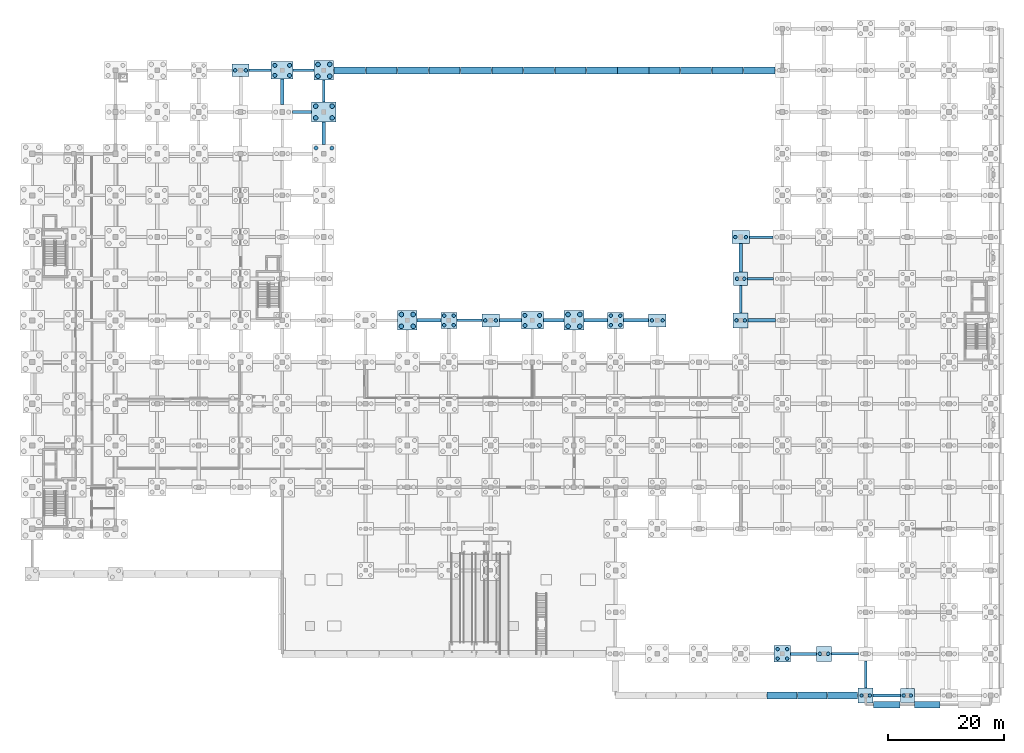
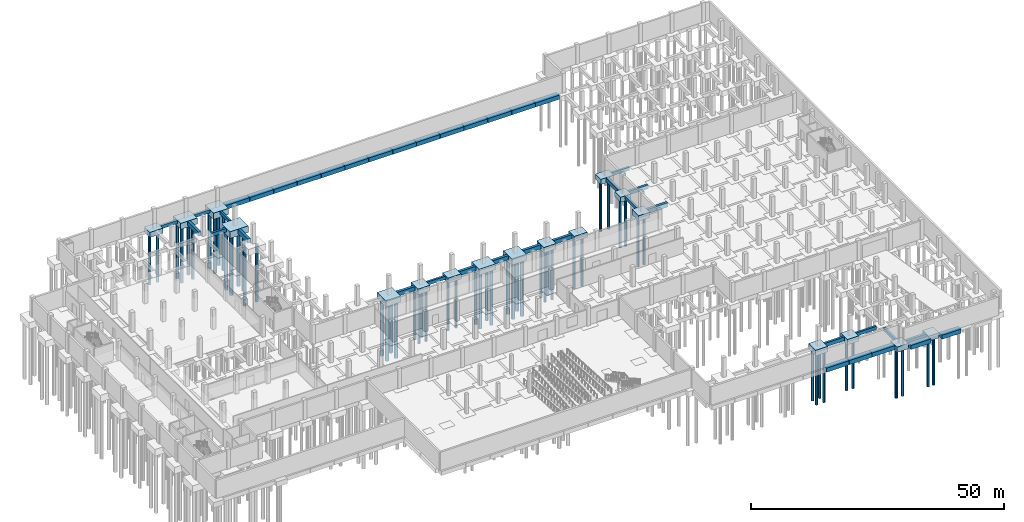
# One storey, part 10 of 38: 58 footings, 56 piles.
"""IFC4 building model written with IfcOpenShell, lengths in metres."""

from ifc_helpers import new_model, si_unit, direction, frame, origin, origin_2d, place, context, subcontext, project, spatial, rectangle, circle, extrude, material, material_profile, profile_set, type_object, element, save


model = new_model("IFC4")

# Units and contexts
model_context = context("Model", 3, precision=1e-05, world=origin(), true_north=direction((0.0, 1.0)))
body_context = subcontext(model_context, "Body", "Model", "MODEL_VIEW")
ifc_project = project(units=[si_unit("LENGTHUNIT", "METRE"), si_unit("AREAUNIT", "SQUARE_METRE"), si_unit("VOLUMEUNIT", "CUBIC_METRE"), si_unit("PLANEANGLEUNIT", "RADIAN"), si_unit("MASSUNIT", "GRAM", prefix="KILO")], contexts=[model_context])

# Site, building, storey
site_placement = place(None, origin())
site = spatial("IfcSite", under=ifc_project, at=site_placement, CompositionType="ELEMENT")
building_placement = place(site_placement, origin())
building = spatial("IfcBuilding", under=site, at=building_placement, Name="Valkovuoma Quantum and Materials Research Institute", CompositionType="ELEMENT")
storey_placement = place(building_placement, frame((0.0, 0.0, -4.800048828125)))
storey = spatial("IfcBuildingStorey", under=building, at=storey_placement, Name="B1", CompositionType="ELEMENT", Elevation=-4.800048828125)

# Footings
ifc_material_1 = material(Name="Concrete C35/45", Category="concrete")
footing_type_1 = type_object("IfcFootingType", Name="Cap-PC-03", PredefinedType="PILE_CAP", material=ifc_material_1)
for number, where, z_axis, x_axis, name in (
    (1, (122.39990234375, 72.0, -1.19970703125), (0.0, 0.0, 1.0), (1.0, 0.0, 0.0), "B1 pile cap 18L"),
    (2, (151.199951171875, 0.0, -1.19970703125), (0.0, 0.0, 1.0), (1.0, 0.0, 0.0), "B1 pile cap 22A"),
):
    element("IfcFooting", number, at=place(storey_placement, frame(where, z_axis=z_axis, x_axis=x_axis)), inside=storey, type_object=footing_type_1, Name=name, PredefinedType="PILE_CAP", context=body_context, shape_type="SweptSolid", body=[
        extrude(rectangle(XDim=2.39990234375, YDim=2.39990234375, at=origin_2d()), origin(), (0.0, 0.0, 1.0), 1.199951171875),
    ])
ifc_material_2 = material(Name="Concrete C35/45", Category="concrete")
footing_type_2 = type_object("IfcFootingType", Name="Cap-PC-04", PredefinedType="PILE_CAP", material=ifc_material_2)
for number, where, z_axis, x_axis, name in (
    (3, (122.39990234375, 64.800048828125, -1.2998046875), (0.0, 0.0, 1.0), (1.0, 0.0, 0.0), "B1 pile cap 18K"),
    (4, (136.800048828125, 7.199951171875, -1.2998046875), (0.0, 0.0, 1.0), (1.0, 0.0, 0.0), "B1 pile cap 20B"),
    (5, (144.0, 0.0, -1.2998046875), (0.0, 0.0, 1.0), (1.0, 0.0, 0.0), "B1 pile cap 21A"),
):
    element("IfcFooting", number, at=place(storey_placement, frame(where, z_axis=z_axis, x_axis=x_axis)), inside=storey, type_object=footing_type_2, Name=name, PredefinedType="PILE_CAP", context=body_context, shape_type="SweptSolid", body=[
        extrude(rectangle(XDim=2.60009765625, YDim=2.60009765625, at=origin_2d()), origin(), (0.0, 0.0, 1.0), 1.300048828125),
    ])
ifc_material_3 = material(Name="Concrete C35/45", Category="concrete")
footing_type_3 = type_object("IfcFootingType", Name="Cap-PC-05", PredefinedType="PILE_CAP", material=ifc_material_3)
for number, where, z_axis, x_axis, name in (
    (6, (72.0, 64.800048828125, -1.35009765625), (0.0, 0.0, 1.0), (1.0, 0.0, 0.0), "B1 pile cap 11K"),
    (7, (100.800048828125, 64.800048828125, -1.35009765625), (0.0, 0.0, 1.0), (1.0, 0.0, 0.0), "B1 pile cap 15K"),
    (8, (129.60009765625, 7.199951171875, -1.35009765625), (0.0, 0.0, 1.0), (1.0, 0.0, 0.0), "B1 pile cap 19B"),
):
    element("IfcFooting", number, at=place(storey_placement, frame(where, z_axis=z_axis, x_axis=x_axis)), inside=storey, type_object=footing_type_3, Name=name, PredefinedType="PILE_CAP", context=body_context, shape_type="SweptSolid", body=[
        extrude(rectangle(XDim=2.800048828125, YDim=2.800048828125, at=origin_2d()), origin(), (0.0, 0.0, 1.0), 1.35009765625),
    ])
ifc_material_4 = material(Name="Concrete C35/45", Category="concrete")
footing_type_4 = type_object("IfcFootingType", Name="Cap-PC-08", PredefinedType="PILE_CAP", material=ifc_material_4)
for number, where, z_axis, x_axis, name in (
    (9, (50.39990234375, 108.0, -1.5), (0.0, 0.0, 1.0), (1.0, 0.0, 0.0), "B1 pile cap 08R"),
    (10, (64.800048828125, 64.800048828125, -1.5), (0.0, 0.0, 1.0), (1.0, 0.0, 0.0), "B1 pile cap 10K"),
    (11, (93.60009765625, 64.800048828125, -1.5), (0.0, 0.0, 1.0), (1.0, 0.0, 0.0), "B1 pile cap 14K"),
):
    element("IfcFooting", number, at=place(storey_placement, frame(where, z_axis=z_axis, x_axis=x_axis)), inside=storey, type_object=footing_type_4, Name=name, PredefinedType="PILE_CAP", context=body_context, shape_type="SweptSolid", body=[
        extrude(rectangle(XDim=3.39990234375, YDim=3.39990234375, at=origin_2d()), origin(), (0.0, 0.0, 1.0), 1.5),
    ])
ifc_material_5 = material(Name="Concrete C35/45", Category="concrete")
footing_type_5 = type_object("IfcFootingType", Name="Cap-PC-11", PredefinedType="PILE_CAP", material=ifc_material_5)
for number, where, z_axis, x_axis, name in (
    (12, (36.0, 108.0, -1.25), (0.0, 0.0, 1.0), (1.0, 0.0, 0.0), "B1 pile cap 06R"),
    (13, (79.199951171875, 64.800048828125, -1.25), (0.0, 0.0, 1.0), (1.0, 0.0, 0.0), "B1 pile cap 12K"),
    (14, (108.0, 64.800048828125, -1.25), (0.0, 0.0, 1.0), (1.0, 0.0, 0.0), "B1 pile cap 16K"),
    (15, (122.39990234375, 79.199951171875, -1.25), (0.0, 0.0, 1.0), (1.0, 0.0, 0.0), "B1 pile cap 18M"),
):
    element("IfcFooting", number, at=place(storey_placement, frame(where, z_axis=z_axis, x_axis=x_axis)), inside=storey, type_object=footing_type_5, Name=name, PredefinedType="PILE_CAP", context=body_context, shape_type="SweptSolid", body=[
        extrude(rectangle(XDim=3.0, YDim=2.199951171875, at=origin_2d()), origin(), (0.0, 0.0, 1.0), 1.25),
    ])
ifc_material_6 = material(Name="Concrete C35/45", Category="concrete")
footing_type_6 = type_object("IfcFootingType", Name="Cap-PC-14", PredefinedType="PILE_CAP", material=ifc_material_6)
for number, where, z_axis, x_axis, name in (
    (16, (43.199951171875, 108.0, -1.44970703125), (0.0, 0.0, 1.0), (1.0, 0.0, 0.0), "B1 pile cap 07R"),
    (17, (86.39990234375, 64.800048828125, -1.44970703125), (0.0, 0.0, 1.0), (1.0, 0.0, 0.0), "B1 pile cap 13K"),
):
    element("IfcFooting", number, at=place(storey_placement, frame(where, z_axis=z_axis, x_axis=x_axis)), inside=storey, type_object=footing_type_6, Name=name, PredefinedType="PILE_CAP", context=body_context, shape_type="SweptSolid", body=[
        extrude(rectangle(XDim=3.800048828125, YDim=3.0, at=origin_2d()), origin(), (0.0, 0.0, 1.0), 1.449951171875),
    ])
ifc_material_7 = material(Name="Concrete C35/45", Category="concrete")
footing_type_7 = type_object("IfcFootingType", Name="Cap-PC-16", PredefinedType="PILE_CAP", material=ifc_material_7)
footing_1_placement = place(storey_placement, frame((50.39990234375, 100.800048828125, -1.60009765625), z_axis=(0.0, 0.0, 1.0), x_axis=(1.0, 0.0, 0.0)))
element("IfcFooting", 18, at=footing_1_placement, inside=storey, type_object=footing_type_7, Name="B1 pile cap 08Q", PredefinedType="PILE_CAP", context=body_context, shape_type="SweptSolid", body=[
    extrude(rectangle(XDim=4.199951171875, YDim=3.39990234375, at=origin_2d()), origin(), (0.0, 0.0, 1.0), 1.60009765625),
])
ifc_material_8 = material(Name="Concrete C35/45", Category="concrete")
footing_type_8 = type_object("IfcFootingType", Name="GndBeam-FB-01", PredefinedType="FOOTING_BEAM", material=ifc_material_8)
footing_2_placement = place(storey_placement, frame((39.39990234375, 108.0, -0.7998046875), z_axis=(0.0, 0.0, 1.0), x_axis=(1.0, 0.0, 0.0)))
element("IfcFooting", 19, at=footing_2_placement, inside=storey, type_object=footing_type_8, Name="B1 ground tie beam X-123", PredefinedType="FOOTING_BEAM", context=body_context, shape_type="SweptSolid", body=[
    extrude(rectangle(XDim=3.800048828125, YDim=0.449951171875, at=origin_2d()), origin(), (0.0, 0.0, 1.0), 0.800048828125),
])
footing_3_placement = place(storey_placement, frame((46.89990234375, 108.0, -0.7998046875), z_axis=(0.0, 0.0, 1.0), x_axis=(1.0, 0.0, 0.0)))
element("IfcFooting", 20, at=footing_3_placement, inside=storey, type_object=footing_type_8, Name="B1 ground tie beam X-144", PredefinedType="FOOTING_BEAM", context=body_context, shape_type="SweptSolid", body=[
    extrude(rectangle(XDim=3.60009765625, YDim=0.449951171875, at=origin_2d()), origin(), (0.0, 0.0, 1.0), 0.800048828125),
])
footing_4_placement = place(storey_placement, frame((50.39990234375, 104.39990234375, -0.7998046875), z_axis=(0.0, 0.0, 1.0), x_axis=(0.0, 1.0, 0.0)))
element("IfcFooting", 21, at=footing_4_placement, inside=storey, type_object=footing_type_8, Name="B1 ground tie beam Y-159", PredefinedType="FOOTING_BEAM", context=body_context, shape_type="SweptSolid", body=[
    extrude(rectangle(XDim=3.800048828125, YDim=0.449951171875, at=origin_2d()), origin(), (0.0, 0.0, 1.0), 0.800048828125),
])
footing_5_placement = place(storey_placement, frame((75.550048828125, 64.800048828125, -0.7998046875), z_axis=(0.0, 0.0, 1.0), x_axis=(1.0, 0.0, 0.0)))
element("IfcFooting", 22, at=footing_5_placement, inside=storey, type_object=footing_type_8, Name="B1 ground tie beam X-198", PredefinedType="FOOTING_BEAM", context=body_context, shape_type="SweptSolid", body=[
    extrude(rectangle(XDim=4.300048828125, YDim=0.449951171875, at=origin_2d()), origin(), (0.0, 0.0, 1.0), 0.800048828125),
])
footing_6_placement = place(storey_placement, frame((122.39990234375, 68.449951171875, -0.7998046875), z_axis=(0.0, 0.0, 1.0), x_axis=(0.0, 1.0, 0.0)))
element("IfcFooting", 23, at=footing_6_placement, inside=storey, type_object=footing_type_8, Name="B1 ground tie beam Y-276", PredefinedType="FOOTING_BEAM", context=body_context, shape_type="SweptSolid", body=[
    extrude(rectangle(XDim=4.699951171875, YDim=0.449951171875, at=origin_2d()), origin(), (0.0, 0.0, 1.0), 0.800048828125),
])
footing_7_placement = place(storey_placement, frame((125.949951171875, 79.199951171875, -0.7998046875), z_axis=(0.0, 0.0, 1.0), x_axis=(1.0, 0.0, 0.0)))
element("IfcFooting", 24, at=footing_7_placement, inside=storey, type_object=footing_type_8, Name="B1 ground tie beam X-279", PredefinedType="FOOTING_BEAM", context=body_context, shape_type="SweptSolid", body=[
    extrude(rectangle(XDim=4.10009765625, YDim=0.449951171875, at=origin_2d()), origin(), (0.0, 0.0, 1.0), 0.800048828125),
])
for number, where, z_axis, x_axis, name in (
    (25, (140.449951171875, 7.199951171875, -0.7998046875), (0.0, 0.0, 1.0), (1.0, 0.0, 0.0), "B1 ground tie beam X-306"),
    (26, (144.0, 3.64990234375, -0.7998046875), (0.0, 0.0, 1.0), (0.0, 1.0, 0.0), "B1 ground tie beam Y-333"),
):
    element("IfcFooting", number, at=place(storey_placement, frame(where, z_axis=z_axis, x_axis=x_axis)), inside=storey, type_object=footing_type_8, Name=name, PredefinedType="FOOTING_BEAM", context=body_context, shape_type="SweptSolid", body=[
        extrude(rectangle(XDim=4.699951171875, YDim=0.449951171875, at=origin_2d()), origin(), (0.0, 0.0, 1.0), 0.800048828125),
    ])
ifc_material_9 = material(Name="Concrete C35/45", Category="concrete")
footing_type_9 = type_object("IfcFootingType", Name="GndBeam-FB-02", PredefinedType="FOOTING_BEAM", material=ifc_material_9)
footing_8_placement = place(storey_placement, frame((46.625, 100.800048828125, -0.89990234375), z_axis=(0.0, 0.0, 1.0), x_axis=(1.0, 0.0, 0.0)))
element("IfcFooting", 27, at=footing_8_placement, inside=storey, type_object=footing_type_9, Name="B1 ground tie beam X-142", PredefinedType="FOOTING_BEAM", context=body_context, shape_type="SweptSolid", body=[
    extrude(rectangle(XDim=3.35009765625, YDim=0.5, at=origin_2d()), origin(), (0.0, 0.0, 1.0), 0.89990234375),
])
for number, where, z_axis, x_axis, name in (
    (28, (125.85009765625, 72.0, -0.89990234375), (0.0, 0.0, 1.0), (1.0, 0.0, 0.0), "B1 ground tie beam X-277"),
    (29, (133.25, 7.199951171875, -0.89990234375), (0.0, 0.0, 1.0), (1.0, 0.0, 0.0), "B1 ground tie beam X-280"),
):
    element("IfcFooting", number, at=place(storey_placement, frame(where, z_axis=z_axis, x_axis=x_axis)), inside=storey, type_object=footing_type_9, Name=name, PredefinedType="FOOTING_BEAM", context=body_context, shape_type="SweptSolid", body=[
        extrude(rectangle(XDim=4.5, YDim=0.5, at=origin_2d()), origin(), (0.0, 0.0, 1.0), 0.89990234375),
    ])
ifc_material_10 = material(Name="Concrete C35/45", Category="concrete")
footing_type_10 = type_object("IfcFootingType", Name="GndBeam-FB-03", PredefinedType="FOOTING_BEAM", material=ifc_material_10)
footing_9_placement = place(storey_placement, frame((43.199951171875, 104.300048828125, -1.0), z_axis=(0.0, 0.0, 1.0), x_axis=(0.0, 1.0, 0.0)))
element("IfcFooting", 30, at=footing_9_placement, inside=storey, type_object=footing_type_10, Name="B1 ground tie beam Y-143", PredefinedType="FOOTING_BEAM", context=body_context, shape_type="SweptSolid", body=[
    extrude(rectangle(XDim=4.39990234375, YDim=0.60009765625, at=origin_2d()), origin(), (0.0, 0.0, 1.0), 1.0),
])
footing_10_placement = place(storey_placement, frame((50.39990234375, 97.14990234375, -1.0), z_axis=(0.0, 0.0, 1.0), x_axis=(0.0, 1.0, 0.0)))
element("IfcFooting", 31, at=footing_10_placement, inside=storey, type_object=footing_type_10, Name="B1 ground tie beam Y-158", PredefinedType="FOOTING_BEAM", context=body_context, shape_type="SweptSolid", body=[
    extrude(rectangle(XDim=3.89990234375, YDim=0.60009765625, at=origin_2d()), origin(), (0.0, 0.0, 1.0), 1.0),
])
footing_11_placement = place(storey_placement, frame((68.550048828125, 64.800048828125, -1.0), z_axis=(0.0, 0.0, 1.0), x_axis=(1.0, 0.0, 0.0)))
element("IfcFooting", 32, at=footing_11_placement, inside=storey, type_object=footing_type_10, Name="B1 ground tie beam X-185", PredefinedType="FOOTING_BEAM", context=body_context, shape_type="SweptSolid", body=[
    extrude(rectangle(XDim=4.10009765625, YDim=0.60009765625, at=origin_2d()), origin(), (0.0, 0.0, 1.0), 1.0),
])
footing_12_placement = place(storey_placement, frame((82.60009765625, 64.800048828125, -1.0), z_axis=(0.0, 0.0, 1.0), x_axis=(1.0, 0.0, 0.0)))
element("IfcFooting", 33, at=footing_12_placement, inside=storey, type_object=footing_type_10, Name="B1 ground tie beam X-209", PredefinedType="FOOTING_BEAM", context=body_context, shape_type="SweptSolid", body=[
    extrude(rectangle(XDim=3.800048828125, YDim=0.60009765625, at=origin_2d()), origin(), (0.0, 0.0, 1.0), 1.0),
])
footing_13_placement = place(storey_placement, frame((90.10009765625, 64.800048828125, -1.0), z_axis=(0.0, 0.0, 1.0), x_axis=(1.0, 0.0, 0.0)))
element("IfcFooting", 34, at=footing_13_placement, inside=storey, type_object=footing_type_10, Name="B1 ground tie beam X-218", PredefinedType="FOOTING_BEAM", context=body_context, shape_type="SweptSolid", body=[
    extrude(rectangle(XDim=3.60009765625, YDim=0.60009765625, at=origin_2d()), origin(), (0.0, 0.0, 1.0), 1.0),
])
footing_14_placement = place(storey_placement, frame((97.35009765625, 64.800048828125, -1.0), z_axis=(0.0, 0.0, 1.0), x_axis=(1.0, 0.0, 0.0)))
element("IfcFooting", 35, at=footing_14_placement, inside=storey, type_object=footing_type_10, Name="B1 ground tie beam X-227", PredefinedType="FOOTING_BEAM", context=body_context, shape_type="SweptSolid", body=[
    extrude(rectangle(XDim=4.10009765625, YDim=0.60009765625, at=origin_2d()), origin(), (0.0, 0.0, 1.0), 1.0),
])
footing_15_placement = place(storey_placement, frame((104.35009765625, 64.800048828125, -1.0), z_axis=(0.0, 0.0, 1.0), x_axis=(1.0, 0.0, 0.0)))
element("IfcFooting", 36, at=footing_15_placement, inside=storey, type_object=footing_type_10, Name="B1 ground tie beam X-242", PredefinedType="FOOTING_BEAM", context=body_context, shape_type="SweptSolid", body=[
    extrude(rectangle(XDim=4.300048828125, YDim=0.60009765625, at=origin_2d()), origin(), (0.0, 0.0, 1.0), 1.0),
])
footing_16_placement = place(storey_placement, frame((126.050048828125, 64.800048828125, -1.0), z_axis=(0.0, 0.0, 1.0), x_axis=(1.0, 0.0, 0.0)))
element("IfcFooting", 37, at=footing_16_placement, inside=storey, type_object=footing_type_10, Name="B1 ground tie beam X-275", PredefinedType="FOOTING_BEAM", context=body_context, shape_type="SweptSolid", body=[
    extrude(rectangle(XDim=4.699951171875, YDim=0.60009765625, at=origin_2d()), origin(), (0.0, 0.0, 1.0), 1.0),
])
footing_17_placement = place(storey_placement, frame((122.39990234375, 75.64990234375, -1.0), z_axis=(0.0, 0.0, 1.0), x_axis=(0.0, 1.0, 0.0)))
element("IfcFooting", 38, at=footing_17_placement, inside=storey, type_object=footing_type_10, Name="B1 ground tie beam Y-278", PredefinedType="FOOTING_BEAM", context=body_context, shape_type="SweptSolid", body=[
    extrude(rectangle(XDim=4.89990234375, YDim=0.60009765625, at=origin_2d()), origin(), (0.0, 0.0, 1.0), 1.0),
])
footing_18_placement = place(storey_placement, frame((147.64990234375, 0.0, -1.0), z_axis=(0.0, 0.0, 1.0), x_axis=(1.0, 0.0, 0.0)))
element("IfcFooting", 39, at=footing_18_placement, inside=storey, type_object=footing_type_10, Name="B1 ground tie beam X-332", PredefinedType="FOOTING_BEAM", context=body_context, shape_type="SweptSolid", body=[
    extrude(rectangle(XDim=4.699951171875, YDim=0.60009765625, at=origin_2d()), origin(), (0.0, 0.0, 1.0), 1.0),
])
ifc_material_11 = material(Name="Concrete C35/45", Category="concrete")
footing_type_11 = type_object("IfcFootingType", Name="Pad-PF-04", PredefinedType="PAD_FOOTING", material=ifc_material_11)
footing_19_placement = place(storey_placement, frame((54.87939453125, 108.0, -1.0), z_axis=(0.0, 0.0, 1.0), x_axis=(1.0, 0.0, 0.0)))
element("IfcFooting", 40, at=footing_19_placement, inside=storey, type_object=footing_type_11, Name="B1 retaining wall pad footing 001", PredefinedType="PAD_FOOTING", context=body_context, shape_type="SweptSolid", body=[
    extrude(rectangle(XDim=5.398681640625, YDim=1.199951171875, at=origin_2d()), origin(), (0.0, 0.0, 1.0), 1.0),
])
for number, where, z_axis, x_axis, name in (
    (41, (60.337890625, 108.0, -1.0), (0.0, 0.0, 1.0), (1.0, 0.0, 0.0), "B1 retaining wall pad footing 002"),
    (42, (65.7763671875, 108.0, -1.0), (0.0, 0.0, 1.0), (1.0, 0.0, 0.0), "B1 retaining wall pad footing 003"),
    (43, (71.215087890625, 108.0, -1.0), (0.0, 0.0, 1.0), (1.0, 0.0, 0.0), "B1 retaining wall pad footing 004"),
    (44, (76.653564453125, 108.0, -1.0), (0.0, 0.0, 1.0), (1.0, 0.0, 0.0), "B1 retaining wall pad footing 005"),
    (45, (82.092041015625, 108.0, -1.0), (0.0, 0.0, 1.0), (1.0, 0.0, 0.0), "B1 retaining wall pad footing 006"),
    (46, (87.53076171875, 108.0, -1.0), (0.0, 0.0, 1.0), (1.0, 0.0, 0.0), "B1 retaining wall pad footing 007"),
    (47, (92.96923828125, 108.0, -1.0), (0.0, 0.0, 1.0), (1.0, 0.0, 0.0), "B1 retaining wall pad footing 008"),
    (48, (98.407958984375, 108.0, -1.0), (0.0, 0.0, 1.0), (1.0, 0.0, 0.0), "B1 retaining wall pad footing 009"),
    (49, (103.846435546875, 108.0, -1.0), (0.0, 0.0, 1.0), (1.0, 0.0, 0.0), "B1 retaining wall pad footing 010"),
    (50, (109.284912109375, 108.0, -1.0), (0.0, 0.0, 1.0), (1.0, 0.0, 0.0), "B1 retaining wall pad footing 011"),
    (51, (114.7236328125, 108.0, -1.0), (0.0, 0.0, 1.0), (1.0, 0.0, 0.0), "B1 retaining wall pad footing 012"),
    (52, (120.162109375, 108.0, -1.0), (0.0, 0.0, 1.0), (1.0, 0.0, 0.0), "B1 retaining wall pad footing 013"),
):
    element("IfcFooting", number, at=place(storey_placement, frame(where, z_axis=z_axis, x_axis=x_axis)), inside=storey, type_object=footing_type_11, Name=name, PredefinedType="PAD_FOOTING", context=body_context, shape_type="SweptSolid", body=[
        extrude(rectangle(XDim=5.358642578125, YDim=1.199951171875, at=origin_2d()), origin(), (0.0, 0.0, 1.0), 1.0),
    ])
footing_20_placement = place(storey_placement, frame((125.62060546875, 108.0, -1.0), z_axis=(0.0, 0.0, 1.0), x_axis=(1.0, 0.0, 0.0)))
element("IfcFooting", 53, at=footing_20_placement, inside=storey, type_object=footing_type_11, Name="B1 retaining wall pad footing 014", PredefinedType="PAD_FOOTING", context=body_context, shape_type="SweptSolid", body=[
    extrude(rectangle(XDim=5.398681640625, YDim=1.199951171875, at=origin_2d()), origin(), (0.0, 0.0, 1.0), 1.0),
])
footing_21_placement = place(storey_placement, frame((147.64990234375, -1.60009765625, -1.0), z_axis=(0.0, 0.0, 1.0), x_axis=(1.0, 0.0, 0.0)))
element("IfcFooting", 54, at=footing_21_placement, inside=storey, type_object=footing_type_11, Name="B1 retaining wall pad footing 034", PredefinedType="PAD_FOOTING", context=body_context, shape_type="SweptSolid", body=[
    extrude(rectangle(XDim=4.5400390625, YDim=1.199951171875, at=origin_2d()), origin(), (0.0, 0.0, 1.0), 1.0),
])
footing_22_placement = place(storey_placement, frame((154.64990234375, -1.60009765625, -1.0), z_axis=(0.0, 0.0, 1.0), x_axis=(1.0, 0.0, 0.0)))
element("IfcFooting", 55, at=footing_22_placement, inside=storey, type_object=footing_type_11, Name="B1 retaining wall pad footing 035", PredefinedType="PAD_FOOTING", context=body_context, shape_type="SweptSolid", body=[
    extrude(rectangle(XDim=4.340087890625, YDim=1.199951171875, at=origin_2d()), origin(), (0.0, 0.0, 1.0), 1.0),
])
for number, where, z_axis, x_axis, name in (
    (56, (129.55126953125, 0.0, -1.0), (0.0, 0.0, 1.0), (1.0, 0.0, 0.0), "B1 retaining wall pad footing 042"),
    (57, (134.77880859375, 0.0, -1.0), (0.0, 0.0, 1.0), (1.0, 0.0, 0.0), "B1 retaining wall pad footing 043"),
):
    element("IfcFooting", number, at=place(storey_placement, frame(where, z_axis=z_axis, x_axis=x_axis)), inside=storey, type_object=footing_type_11, Name=name, PredefinedType="PAD_FOOTING", context=body_context, shape_type="SweptSolid", body=[
        extrude(rectangle(XDim=5.1474609375, YDim=1.199951171875, at=origin_2d()), origin(), (0.0, 0.0, 1.0), 1.0),
    ])
footing_23_placement = place(storey_placement, frame((140.026123046875, 0.0, -1.0), z_axis=(0.0, 0.0, 1.0), x_axis=(1.0, 0.0, 0.0)))
element("IfcFooting", 58, at=footing_23_placement, inside=storey, type_object=footing_type_11, Name="B1 retaining wall pad footing 044", PredefinedType="PAD_FOOTING", context=body_context, shape_type="SweptSolid", body=[
    extrude(rectangle(XDim=5.1875, YDim=1.199951171875, at=origin_2d()), origin(), (0.0, 0.0, 1.0), 1.0),
])

# Piles
ifc_material_12 = material(Name="Concrete C40/50", Category="concrete")
ifc_material_profile_1 = material_profile(ifc_material_12, circle(Radius=0.300048828125, at=origin_2d()), Name="Concrete C40/50")
ifc_profile_set_1 = profile_set([ifc_material_profile_1], Name="Concrete C40/50")
pile_type_1 = type_object("IfcPileType", Name="Pile-PL-B600", PredefinedType="BORED", material=ifc_profile_set_1)
for number, where, z_axis, x_axis, name in (
    (59, (35.080078125, 108.0, -1.14990234375), (0.0, 0.0, -1.0), (1.0, 0.0, 0.0), "B1 pile 06R-1"),
    (60, (36.919921875, 108.0, -1.14990234375), (0.0, 0.0, -1.0), (1.0, 0.0, 0.0), "B1 pile 06R-2"),
):
    element("IfcPile", number, at=place(storey_placement, frame(where, z_axis=z_axis, x_axis=x_axis)), inside=storey, type_object=pile_type_1, Name=name, PredefinedType="BORED", context=body_context, shape_type="SweptSolid", body=[
        extrude(circle(Radius=0.300048828125, at=origin_2d()), origin(), (0.0, 0.0, 1.0), 12.25),
    ])
for number, where, z_axis, x_axis, name in (
    (61, (71.179931640625, 63.97998046875, -1.25), (0.0, 0.0, -1.0), (1.0, 0.0, 0.0), "B1 pile 11K-1"),
    (62, (72.820068359375, 63.97998046875, -1.25), (0.0, 0.0, -1.0), (1.0, 0.0, 0.0), "B1 pile 11K-2"),
    (63, (71.179931640625, 65.6201171875, -1.25), (0.0, 0.0, -1.0), (1.0, 0.0, 0.0), "B1 pile 11K-3"),
    (64, (72.820068359375, 65.6201171875, -1.25), (0.0, 0.0, -1.0), (1.0, 0.0, 0.0), "B1 pile 11K-4"),
):
    element("IfcPile", number, at=place(storey_placement, frame(where, z_axis=z_axis, x_axis=x_axis)), inside=storey, type_object=pile_type_1, Name=name, PredefinedType="BORED", context=body_context, shape_type="SweptSolid", body=[
        extrude(circle(Radius=0.300048828125, at=origin_2d()), origin(), (0.0, 0.0, 1.0), 12.35009765625),
    ])
for number, where, z_axis, x_axis, name in (
    (65, (78.280029296875, 64.800048828125, -1.14990234375), (0.0, 0.0, -1.0), (1.0, 0.0, 0.0), "B1 pile 12K-1"),
    (66, (80.1201171875, 64.800048828125, -1.14990234375), (0.0, 0.0, -1.0), (1.0, 0.0, 0.0), "B1 pile 12K-2"),
):
    element("IfcPile", number, at=place(storey_placement, frame(where, z_axis=z_axis, x_axis=x_axis)), inside=storey, type_object=pile_type_1, Name=name, PredefinedType="BORED", context=body_context, shape_type="SweptSolid", body=[
        extrude(circle(Radius=0.300048828125, at=origin_2d()), origin(), (0.0, 0.0, 1.0), 12.25),
    ])
for number, where, z_axis, x_axis, name in (
    (67, (99.97998046875, 63.97998046875, -1.25), (0.0, 0.0, -1.0), (1.0, 0.0, 0.0), "B1 pile 15K-1"),
    (68, (101.6201171875, 63.97998046875, -1.25), (0.0, 0.0, -1.0), (1.0, 0.0, 0.0), "B1 pile 15K-2"),
    (69, (99.97998046875, 65.6201171875, -1.25), (0.0, 0.0, -1.0), (1.0, 0.0, 0.0), "B1 pile 15K-3"),
    (70, (101.6201171875, 65.6201171875, -1.25), (0.0, 0.0, -1.0), (1.0, 0.0, 0.0), "B1 pile 15K-4"),
):
    element("IfcPile", number, at=place(storey_placement, frame(where, z_axis=z_axis, x_axis=x_axis)), inside=storey, type_object=pile_type_1, Name=name, PredefinedType="BORED", context=body_context, shape_type="SweptSolid", body=[
        extrude(circle(Radius=0.300048828125, at=origin_2d()), origin(), (0.0, 0.0, 1.0), 12.35009765625),
    ])
for number, where, z_axis, x_axis, name in (
    (71, (107.080078125, 64.800048828125, -1.14990234375), (0.0, 0.0, -1.0), (1.0, 0.0, 0.0), "B1 pile 16K-1"),
    (72, (108.919921875, 64.800048828125, -1.14990234375), (0.0, 0.0, -1.0), (1.0, 0.0, 0.0), "B1 pile 16K-2"),
):
    element("IfcPile", number, at=place(storey_placement, frame(where, z_axis=z_axis, x_axis=x_axis)), inside=storey, type_object=pile_type_1, Name=name, PredefinedType="BORED", context=body_context, shape_type="SweptSolid", body=[
        extrude(circle(Radius=0.300048828125, at=origin_2d()), origin(), (0.0, 0.0, 1.0), 12.25),
    ])
for number, where, z_axis, x_axis, name in (
    (73, (121.679931640625, 64.800048828125, -1.199951171875), (0.0, 0.0, -1.0), (1.0, 0.0, 0.0), "B1 pile 18K-1"),
    (74, (123.1201171875, 64.800048828125, -1.199951171875), (0.0, 0.0, -1.0), (1.0, 0.0, 0.0), "B1 pile 18K-2"),
):
    element("IfcPile", number, at=place(storey_placement, frame(where, z_axis=z_axis, x_axis=x_axis)), inside=storey, type_object=pile_type_1, Name=name, PredefinedType="BORED", context=body_context, shape_type="SweptSolid", body=[
        extrude(circle(Radius=0.300048828125, at=origin_2d()), origin(), (0.0, 0.0, 1.0), 12.0),
    ])
for number, where, z_axis, x_axis, name in (
    (75, (121.780029296875, 72.0, -1.099853515625), (0.0, 0.0, -1.0), (1.0, 0.0, 0.0), "B1 pile 18L-1"),
    (76, (123.02001953125, 72.0, -1.099853515625), (0.0, 0.0, -1.0), (1.0, 0.0, 0.0), "B1 pile 18L-2"),
):
    element("IfcPile", number, at=place(storey_placement, frame(where, z_axis=z_axis, x_axis=x_axis)), inside=storey, type_object=pile_type_1, Name=name, PredefinedType="BORED", context=body_context, shape_type="SweptSolid", body=[
        extrude(circle(Radius=0.300048828125, at=origin_2d()), origin(), (0.0, 0.0, 1.0), 11.89990234375),
    ])
for number, where, z_axis, x_axis, name in (
    (77, (121.47998046875, 79.199951171875, -1.14990234375), (0.0, 0.0, -1.0), (1.0, 0.0, 0.0), "B1 pile 18M-1"),
    (78, (123.320068359375, 79.199951171875, -1.14990234375), (0.0, 0.0, -1.0), (1.0, 0.0, 0.0), "B1 pile 18M-2"),
):
    element("IfcPile", number, at=place(storey_placement, frame(where, z_axis=z_axis, x_axis=x_axis)), inside=storey, type_object=pile_type_1, Name=name, PredefinedType="BORED", context=body_context, shape_type="SweptSolid", body=[
        extrude(circle(Radius=0.300048828125, at=origin_2d()), origin(), (0.0, 0.0, 1.0), 12.25),
    ])
for number, where, z_axis, x_axis, name in (
    (79, (128.780029296875, 6.3798828125, -1.25), (0.0, 0.0, -1.0), (1.0, 0.0, 0.0), "B1 pile 19B-1"),
    (80, (130.419921875, 6.3798828125, -1.25), (0.0, 0.0, -1.0), (1.0, 0.0, 0.0), "B1 pile 19B-2"),
    (81, (128.780029296875, 8.02001953125, -1.25), (0.0, 0.0, -1.0), (1.0, 0.0, 0.0), "B1 pile 19B-3"),
    (82, (130.419921875, 8.02001953125, -1.25), (0.0, 0.0, -1.0), (1.0, 0.0, 0.0), "B1 pile 19B-4"),
):
    element("IfcPile", number, at=place(storey_placement, frame(where, z_axis=z_axis, x_axis=x_axis)), inside=storey, type_object=pile_type_1, Name=name, PredefinedType="BORED", context=body_context, shape_type="SweptSolid", body=[
        extrude(circle(Radius=0.300048828125, at=origin_2d()), origin(), (0.0, 0.0, 1.0), 12.35009765625),
    ])
for number, where, z_axis, x_axis, name in (
    (83, (136.080078125, 7.199951171875, -1.199951171875), (0.0, 0.0, -1.0), (1.0, 0.0, 0.0), "B1 pile 20B-1"),
    (84, (137.52001953125, 7.199951171875, -1.199951171875), (0.0, 0.0, -1.0), (1.0, 0.0, 0.0), "B1 pile 20B-2"),
    (85, (143.280029296875, 0.0, -1.199951171875), (0.0, 0.0, -1.0), (1.0, 0.0, 0.0), "B1 pile 21A-1"),
    (86, (144.719970703125, 0.0, -1.199951171875), (0.0, 0.0, -1.0), (1.0, 0.0, 0.0), "B1 pile 21A-2"),
):
    element("IfcPile", number, at=place(storey_placement, frame(where, z_axis=z_axis, x_axis=x_axis)), inside=storey, type_object=pile_type_1, Name=name, PredefinedType="BORED", context=body_context, shape_type="SweptSolid", body=[
        extrude(circle(Radius=0.300048828125, at=origin_2d()), origin(), (0.0, 0.0, 1.0), 12.0),
    ])
for number, where, z_axis, x_axis, name in (
    (87, (150.580078125, 0.0, -1.099853515625), (0.0, 0.0, -1.0), (1.0, 0.0, 0.0), "B1 pile 22A-1"),
    (88, (151.820068359375, 0.0, -1.099853515625), (0.0, 0.0, -1.0), (1.0, 0.0, 0.0), "B1 pile 22A-2"),
):
    element("IfcPile", number, at=place(storey_placement, frame(where, z_axis=z_axis, x_axis=x_axis)), inside=storey, type_object=pile_type_1, Name=name, PredefinedType="BORED", context=body_context, shape_type="SweptSolid", body=[
        extrude(circle(Radius=0.300048828125, at=origin_2d()), origin(), (0.0, 0.0, 1.0), 11.89990234375),
    ])
ifc_material_13 = material(Name="Concrete C40/50", Category="concrete")
ifc_material_profile_2 = material_profile(ifc_material_13, circle(Radius=0.35009765625, at=origin_2d()), Name="Concrete C40/50")
ifc_profile_set_2 = profile_set([ifc_material_profile_2], Name="Concrete C40/50")
pile_type_2 = type_object("IfcPileType", Name="Pile-PL-B700", PredefinedType="BORED", material=ifc_profile_set_2)
for number, where, z_axis, x_axis, name in (
    (89, (41.929931640625, 107.1298828125, -1.349853515625), (0.0, 0.0, -1.0), (1.0, 0.0, 0.0), "B1 pile 07R-1"),
    (90, (44.469970703125, 107.1298828125, -1.349853515625), (0.0, 0.0, -1.0), (1.0, 0.0, 0.0), "B1 pile 07R-2"),
    (91, (41.929931640625, 108.8701171875, -1.349853515625), (0.0, 0.0, -1.0), (1.0, 0.0, 0.0), "B1 pile 07R-3"),
    (92, (44.469970703125, 108.8701171875, -1.349853515625), (0.0, 0.0, -1.0), (1.0, 0.0, 0.0), "B1 pile 07R-4"),
):
    element("IfcPile", number, at=place(storey_placement, frame(where, z_axis=z_axis, x_axis=x_axis)), inside=storey, type_object=pile_type_2, Name=name, PredefinedType="BORED", context=body_context, shape_type="SweptSolid", body=[
        extrude(circle(Radius=0.35009765625, at=origin_2d()), origin(), (0.0, 0.0, 1.0), 13.449951171875),
    ])
for number, where, z_axis, x_axis, name in (
    (93, (49.030029296875, 94.570068359375, -1.39990234375), (0.0, 0.0, -1.0), (1.0, 0.0, 0.0), "B1 pile 08P-3"),
    (94, (51.77001953125, 94.570068359375, -1.39990234375), (0.0, 0.0, -1.0), (1.0, 0.0, 0.0), "B1 pile 08P-4"),
):
    element("IfcPile", number, at=place(storey_placement, frame(where, z_axis=z_axis, x_axis=x_axis)), inside=storey, type_object=pile_type_2, Name=name, PredefinedType="BORED", context=body_context, shape_type="SweptSolid", body=[
        extrude(circle(Radius=0.35009765625, at=origin_2d()), origin(), (0.0, 0.0, 1.0), 13.800048828125),
    ])
for number, where, z_axis, x_axis, name in (
    (95, (85.1298828125, 63.929931640625, -1.349853515625), (0.0, 0.0, -1.0), (1.0, 0.0, 0.0), "B1 pile 13K-1"),
    (96, (87.669921875, 63.929931640625, -1.349853515625), (0.0, 0.0, -1.0), (1.0, 0.0, 0.0), "B1 pile 13K-2"),
    (97, (85.1298828125, 65.669921875, -1.349853515625), (0.0, 0.0, -1.0), (1.0, 0.0, 0.0), "B1 pile 13K-3"),
    (98, (87.669921875, 65.669921875, -1.349853515625), (0.0, 0.0, -1.0), (1.0, 0.0, 0.0), "B1 pile 13K-4"),
):
    element("IfcPile", number, at=place(storey_placement, frame(where, z_axis=z_axis, x_axis=x_axis)), inside=storey, type_object=pile_type_2, Name=name, PredefinedType="BORED", context=body_context, shape_type="SweptSolid", body=[
        extrude(circle(Radius=0.35009765625, at=origin_2d()), origin(), (0.0, 0.0, 1.0), 13.449951171875),
    ])
ifc_material_14 = material(Name="Concrete C40/50", Category="concrete")
ifc_material_profile_3 = material_profile(ifc_material_14, circle(Radius=0.39990234375, at=origin_2d()), Name="Concrete C40/50")
ifc_profile_set_3 = profile_set([ifc_material_profile_3], Name="Concrete C40/50")
pile_type_3 = type_object("IfcPileType", Name="Pile-PL-B800", PredefinedType="BORED", material=ifc_profile_set_3)
for number, where, z_axis, x_axis, name in (
    (99, (48.97998046875, 99.780029296875, -1.5), (0.0, 0.0, -1.0), (1.0, 0.0, 0.0), "B1 pile 08Q-1"),
    (100, (51.820068359375, 99.780029296875, -1.5), (0.0, 0.0, -1.0), (1.0, 0.0, 0.0), "B1 pile 08Q-2"),
    (101, (48.97998046875, 101.820068359375, -1.5), (0.0, 0.0, -1.0), (1.0, 0.0, 0.0), "B1 pile 08Q-3"),
    (102, (51.820068359375, 101.820068359375, -1.5), (0.0, 0.0, -1.0), (1.0, 0.0, 0.0), "B1 pile 08Q-4"),
):
    element("IfcPile", number, at=place(storey_placement, frame(where, z_axis=z_axis, x_axis=x_axis)), inside=storey, type_object=pile_type_3, Name=name, PredefinedType="BORED", context=body_context, shape_type="SweptSolid", body=[
        extrude(circle(Radius=0.39990234375, at=origin_2d()), origin(), (0.0, 0.0, 1.0), 14.300048828125),
    ])
for number, where, z_axis, x_axis, name in (
    (103, (49.3798828125, 106.97998046875, -1.39990234375), (0.0, 0.0, -1.0), (1.0, 0.0, 0.0), "B1 pile 08R-1"),
    (104, (51.419921875, 106.97998046875, -1.39990234375), (0.0, 0.0, -1.0), (1.0, 0.0, 0.0), "B1 pile 08R-2"),
    (105, (49.3798828125, 109.02001953125, -1.39990234375), (0.0, 0.0, -1.0), (1.0, 0.0, 0.0), "B1 pile 08R-3"),
    (106, (51.419921875, 109.02001953125, -1.39990234375), (0.0, 0.0, -1.0), (1.0, 0.0, 0.0), "B1 pile 08R-4"),
    (107, (63.780029296875, 63.780029296875, -1.39990234375), (0.0, 0.0, -1.0), (1.0, 0.0, 0.0), "B1 pile 10K-1"),
    (108, (65.820068359375, 63.780029296875, -1.39990234375), (0.0, 0.0, -1.0), (1.0, 0.0, 0.0), "B1 pile 10K-2"),
    (109, (63.780029296875, 65.820068359375, -1.39990234375), (0.0, 0.0, -1.0), (1.0, 0.0, 0.0), "B1 pile 10K-3"),
    (110, (65.820068359375, 65.820068359375, -1.39990234375), (0.0, 0.0, -1.0), (1.0, 0.0, 0.0), "B1 pile 10K-4"),
    (111, (92.580078125, 63.780029296875, -1.39990234375), (0.0, 0.0, -1.0), (1.0, 0.0, 0.0), "B1 pile 14K-1"),
    (112, (94.6201171875, 63.780029296875, -1.39990234375), (0.0, 0.0, -1.0), (1.0, 0.0, 0.0), "B1 pile 14K-2"),
    (113, (92.580078125, 65.820068359375, -1.39990234375), (0.0, 0.0, -1.0), (1.0, 0.0, 0.0), "B1 pile 14K-3"),
    (114, (94.6201171875, 65.820068359375, -1.39990234375), (0.0, 0.0, -1.0), (1.0, 0.0, 0.0), "B1 pile 14K-4"),
):
    element("IfcPile", number, at=place(storey_placement, frame(where, z_axis=z_axis, x_axis=x_axis)), inside=storey, type_object=pile_type_3, Name=name, PredefinedType="BORED", context=body_context, shape_type="SweptSolid", body=[
        extrude(circle(Radius=0.39990234375, at=origin_2d()), origin(), (0.0, 0.0, 1.0), 13.60009765625),
    ])

save(model, "model.ifc")
